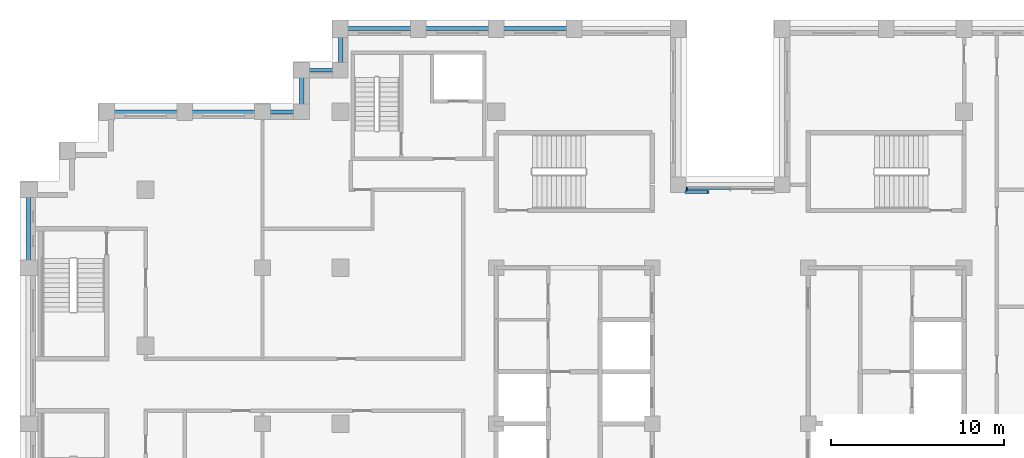
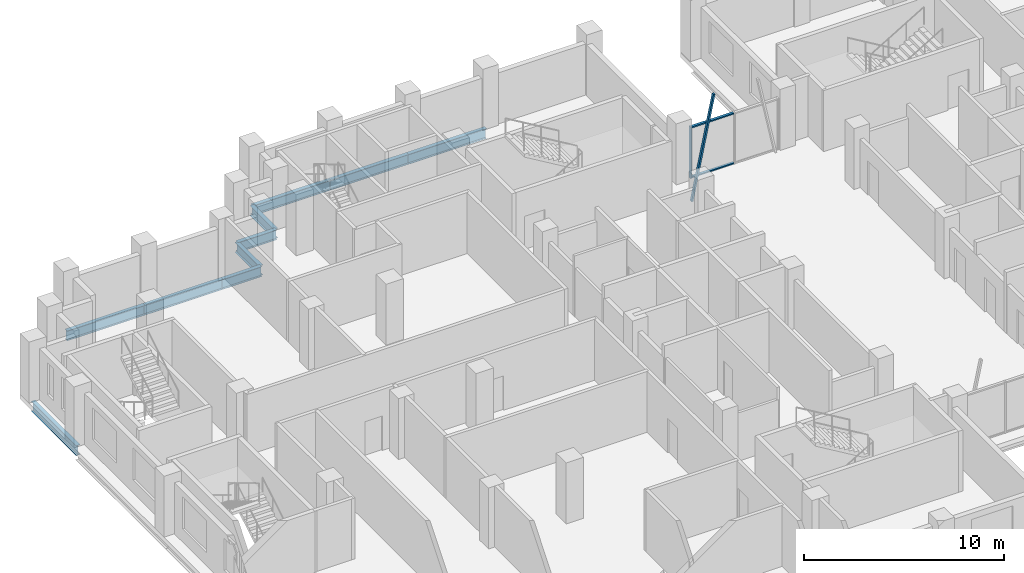
# One storey, part 3 of 15: 10 beams, 4 members, 1 element without a shape of its own.
"""IFC4 building model written with IfcOpenShell, lengths in metres."""

from ifc_helpers import new_model, si_unit, direction, frame, origin, origin_2d, place, context, subcontext, project, spatial, rectangle, i_section, extrude, material, layer, layer_set, material_profile, profile_set, type_object, element, aggregate, save


model = new_model("IFC4")

# Units and contexts
model_context = context("Model", 3, precision=1e-05, world=origin(), true_north=direction((0.0, 1.0)))
body_context = subcontext(model_context, "Body", "Model", "MODEL_VIEW")
ifc_project = project(units=[si_unit("LENGTHUNIT", "METRE"), si_unit("AREAUNIT", "SQUARE_METRE"), si_unit("VOLUMEUNIT", "CUBIC_METRE"), si_unit("PLANEANGLEUNIT", "RADIAN"), si_unit("MASSUNIT", "GRAM", prefix="KILO")], contexts=[model_context])

# Site, building, storey
site_placement = place(None, origin())
site = spatial("IfcSite", under=ifc_project, at=site_placement, CompositionType="ELEMENT")
building_placement = place(site_placement, origin())
building = spatial("IfcBuilding", under=site, at=building_placement, Name="Corbelhall Arena Tower", CompositionType="ELEMENT")
storey_placement = place(building_placement, frame((0.0, 0.0, 228.0)))
storey = spatial("IfcBuildingStorey", under=building, at=storey_placement, Name="L48", CompositionType="ELEMENT", Elevation=228.0)

# Curtain wall, members
ifc_material_1 = material(Name="Aluminium black anodised", Category="aluminium")
ifc_layer = layer(ifc_material_1, 0.199951171875)
ifc_layer_set = layer_set([ifc_layer], Name="EV-CW1 Slot back wall")
curtain_wall_type = type_object("IfcCurtainWallType", Name="EV-CW1 Slot back wall", PredefinedType="NOTDEFINED", material=ifc_layer_set)
curtain_wall_placement = place(storey_placement, origin())
curtain_wall = element("IfcCurtainWall", 1, at=curtain_wall_placement, inside=storey, type_object=curtain_wall_type, Name="Curtain wall CW1", PredefinedType="NOTDEFINED")
ifc_material_profile_1 = material_profile(ifc_material_1, rectangle(XDim=0.199951171875, YDim=0.074951171875, at=origin_2d()))
ifc_profile_set_1 = profile_set([ifc_material_profile_1], Name="Aluminium black anodised")
member_type_1 = type_object("IfcMemberType", Name="EV-CW1-MULLION", PredefinedType="MULLION", material=ifc_profile_set_1)
member_1_placement = place(storey_placement, frame((-2.512451171875, 13.550048828125, 0.0), z_axis=(0.0, 0.0, 1.0), x_axis=(0.0, -1.0, 0.0)))
member_1 = element("IfcMember", 2, at=member_1_placement, type_object=member_type_1, Name="CW1 mullion 3", PredefinedType="MULLION", context=body_context, shape_type="SweptSolid", body=[
    extrude(rectangle(XDim=0.199951171875, YDim=0.074951171875, at=origin_2d()), origin(), (0.0, 0.0, 1.0), 3.1201171875),
])
ifc_material_profile_2 = material_profile(ifc_material_1, rectangle(XDim=0.14990234375, YDim=0.074951171875, at=origin_2d()))
ifc_profile_set_2 = profile_set([ifc_material_profile_2], Name="Aluminium black anodised")
member_type_2 = type_object("IfcMemberType", Name="EV-CW1-TRANSOM", PredefinedType="USERDEFINED", material=ifc_profile_set_2)
member_2_placement = place(storey_placement, frame((-0.03759765625, 13.550048828125, 0.03759765625), z_axis=(-1.0, 0.0, 0.0), x_axis=(0.0, -1.0, 0.0)))
member_2 = element("IfcMember", 3, at=member_2_placement, type_object=member_type_2, Name="CW1 transom 2.1", ObjectType="transom", PredefinedType="USERDEFINED", context=body_context, shape_type="SweptSolid", body=[
    extrude(rectangle(XDim=0.14990234375, YDim=0.074951171875, at=origin_2d()), origin(), (0.0, 0.0, 1.0), 2.4375),
])
member_3_placement = place(storey_placement, frame((-0.03759765625, 13.550048828125, 3.08251953125), z_axis=(-1.0, 0.0, 0.0), x_axis=(0.0, -1.0, 0.0)))
member_3 = element("IfcMember", 4, at=member_3_placement, type_object=member_type_2, Name="CW1 transom 2.2", ObjectType="transom", PredefinedType="USERDEFINED", context=body_context, shape_type="SweptSolid", body=[
    extrude(rectangle(XDim=0.14990234375, YDim=0.074951171875, at=origin_2d()), origin(), (0.0, 0.0, 1.0), 2.4375),
])
aggregate(curtain_wall, [member_1, member_2, member_3])

# Member
ifc_material_profile_3 = material_profile(ifc_material_1, rectangle(XDim=0.159912109375, YDim=0.10009765625, at=origin_2d()))
ifc_profile_set_3 = profile_set([ifc_material_profile_3], Name="Aluminium black anodised")
member_type_3 = type_object("IfcMemberType", Name="EV-TR1 Tracery bar", PredefinedType="USERDEFINED", material=ifc_profile_set_3)
member_4_placement = place(storey_placement, frame((-1.27490234375, 13.3701171875, 4.807373046875), z_axis=(-0.204144671158, 0.0, -0.978940730197), x_axis=(0.0, -1.0, 0.0)))
element("IfcMember", 5, at=member_4_placement, inside=storey, type_object=member_type_3, Name="Tracery bar", ObjectType="TRACERY", PredefinedType="USERDEFINED", context=body_context, shape_type="SweptSolid", body=[
    extrude(rectangle(XDim=0.159912109375, YDim=0.10009765625, at=origin_2d()), origin(), (0.0, 0.0, 1.0), 6.246337890625),
])

# Beams
ifc_material_2 = material(Name="Steel ASTM A992 Gr50", Category="steel")
ifc_material_profile_4 = material_profile(ifc_material_2, i_section(OverallWidth=0.228271484375, OverallDepth=0.607177734375, WebThickness=0.01123046875, FlangeThickness=0.017333984375, at=origin_2d()))
ifc_profile_set_4 = profile_set([ifc_material_profile_4], Name="Steel ASTM A992 Gr50")
beam_type = type_object("IfcBeamType", Name="ST-SPANDREL-W24x76", PredefinedType="SPANDREL", material=ifc_profile_set_4)
for number, where, z_axis, x_axis, name in (
    (6, (-40.5, 9.0, -0.58349609375), (0.0, 1.0, 0.0), (-1.0, 0.0, 0.0), "Beam SP 2"),
    (7, (-31.5, 18.0, -0.58349609375), (1.0, 0.0, 0.0), (0.0, 1.0, 0.0), "Beam SP 5"),
    (8, (-36.0, 18.0, -0.58349609375), (1.0, 0.0, 0.0), (0.0, 1.0, 0.0), "Beam SP 6"),
    (9, (-13.5, 22.800048828125, -0.58349609375), (1.0, 0.0, 0.0), (0.0, 1.0, 0.0), "Beam SP 20"),
    (10, (-18.0, 22.800048828125, -0.58349609375), (1.0, 0.0, 0.0), (0.0, 1.0, 0.0), "Beam SP 21"),
    (11, (-22.5, 22.800048828125, -0.58349609375), (1.0, 0.0, 0.0), (0.0, 1.0, 0.0), "Beam SP 22"),
):
    element("IfcBeam", number, at=place(storey_placement, frame(where, z_axis=z_axis, x_axis=x_axis)), inside=storey, type_object=beam_type, Name=name, PredefinedType="SPANDREL", context=body_context, shape_type="SweptSolid", body=[
        extrude(i_section(OverallWidth=0.228271484375, OverallDepth=0.607177734375, WebThickness=0.01123046875, FlangeThickness=0.017333984375, at=origin_2d()), origin(), (0.0, 0.0, 1.0), 4.5),
    ])
beam_1_placement = place(storey_placement, frame((-27.0, 18.0, -0.58349609375), z_axis=(1.0, 0.0, 0.0), x_axis=(0.0, 1.0, 0.0)))
element("IfcBeam", 12, at=beam_1_placement, inside=storey, type_object=beam_type, Name="Beam SP 33", PredefinedType="SPANDREL", context=body_context, shape_type="SweptSolid", body=[
    extrude(i_section(OverallWidth=0.228271484375, OverallDepth=0.607177734375, WebThickness=0.01123046875, FlangeThickness=0.017333984375, at=origin_2d()), origin(), (0.0, 0.0, 1.0), 2.25),
])
beam_2_placement = place(storey_placement, frame((-22.5, 20.39990234375, -0.58349609375), z_axis=(0.0, 1.0, 0.0), x_axis=(-1.0, 0.0, 0.0)))
element("IfcBeam", 13, at=beam_2_placement, inside=storey, type_object=beam_type, Name="Beam SP 42", PredefinedType="SPANDREL", context=body_context, shape_type="SweptSolid", body=[
    extrude(i_section(OverallWidth=0.228271484375, OverallDepth=0.607177734375, WebThickness=0.01123046875, FlangeThickness=0.017333984375, at=origin_2d()), origin(), (0.0, 0.0, 1.0), 2.400146484375),
])
beam_3_placement = place(storey_placement, frame((-24.75, 20.39990234375, -0.58349609375), z_axis=(1.0, 0.0, 0.0), x_axis=(0.0, 1.0, 0.0)))
element("IfcBeam", 14, at=beam_3_placement, inside=storey, type_object=beam_type, Name="Beam SP 43", PredefinedType="SPANDREL", context=body_context, shape_type="SweptSolid", body=[
    extrude(i_section(OverallWidth=0.228271484375, OverallDepth=0.607177734375, WebThickness=0.01123046875, FlangeThickness=0.017333984375, at=origin_2d()), origin(), (0.0, 0.0, 1.0), 2.25),
])
beam_4_placement = place(storey_placement, frame((-24.75, 18.0, -0.58349609375), z_axis=(0.0, 1.0, 0.0), x_axis=(-1.0, 0.0, 0.0)))
element("IfcBeam", 15, at=beam_4_placement, inside=storey, type_object=beam_type, Name="Beam SP 44", PredefinedType="SPANDREL", context=body_context, shape_type="SweptSolid", body=[
    extrude(i_section(OverallWidth=0.228271484375, OverallDepth=0.607177734375, WebThickness=0.01123046875, FlangeThickness=0.017333984375, at=origin_2d()), origin(), (0.0, 0.0, 1.0), 2.39990234375),
])

save(model, "model.ifc")
